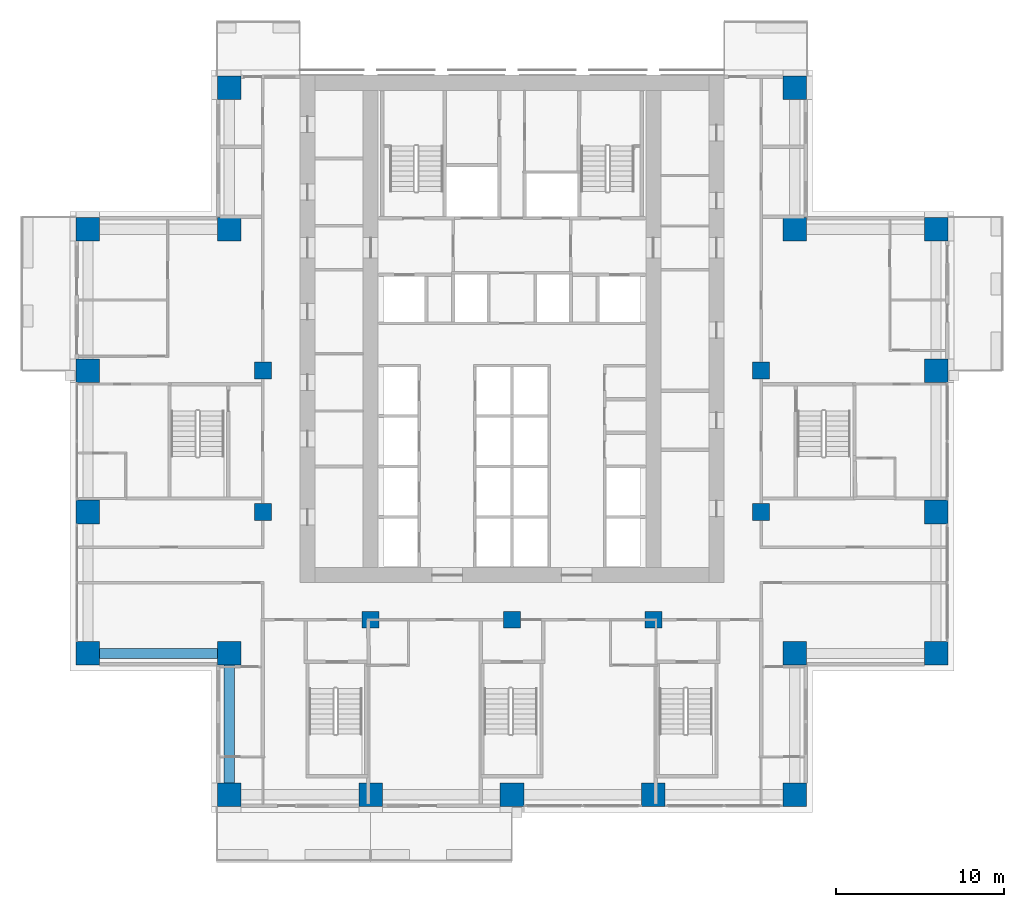
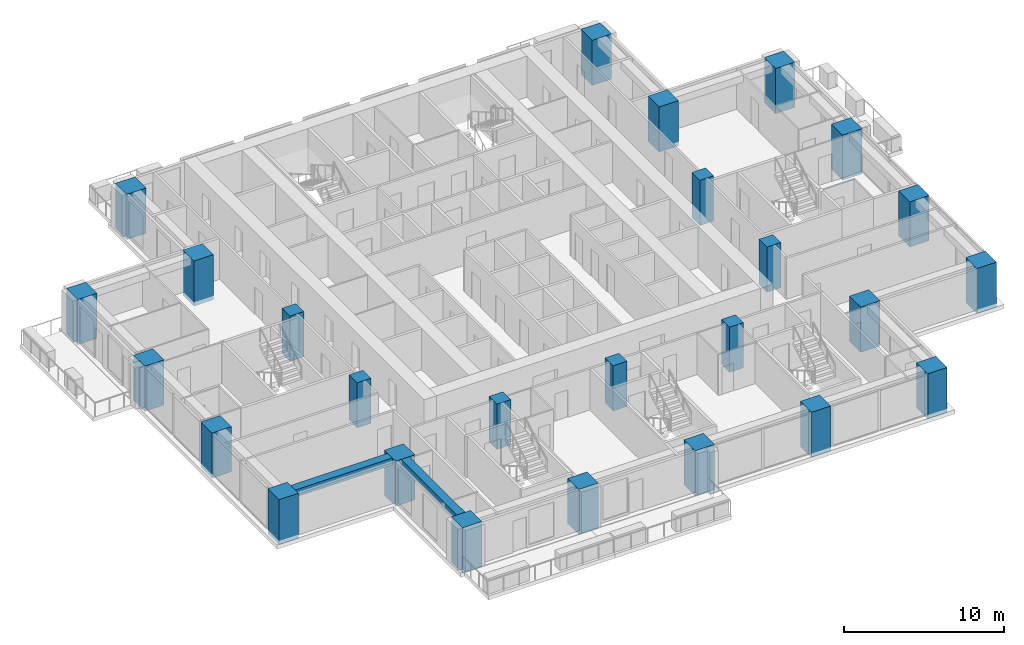
# One storey, part 1 of 16: 26 columns, 2 beams.
"""IFC4 building model written with IfcOpenShell, lengths in metres."""

from ifc_helpers import new_model, si_unit, direction, frame, origin, origin_2d, place, context, subcontext, project, spatial, rectangle, extrude, material, material_profile, profile_set, type_object, element, save


model = new_model("IFC4")

# Units and contexts
model_context = context("Model", 3, precision=1e-05, world=origin(), true_north=direction((0.0, 1.0)))
body_context = subcontext(model_context, "Body", "Model", "MODEL_VIEW")
ifc_project = project(units=[si_unit("LENGTHUNIT", "METRE"), si_unit("AREAUNIT", "SQUARE_METRE"), si_unit("VOLUMEUNIT", "CUBIC_METRE"), si_unit("PLANEANGLEUNIT", "RADIAN"), si_unit("MASSUNIT", "GRAM", prefix="KILO")], contexts=[model_context])

# Site, building, storey
site_placement = place(None, origin())
site = spatial("IfcSite", under=ifc_project, at=site_placement, CompositionType="ELEMENT")
building_placement = place(site_placement, origin())
building = spatial("IfcBuilding", under=site, at=building_placement, Name="Vermilion Ogive Tower", CompositionType="ELEMENT")
storey_placement = place(building_placement, frame((0.0, 0.0, 41.39990234375)))
storey = spatial("IfcBuildingStorey", under=building, at=storey_placement, Name="L08", CompositionType="ELEMENT", Elevation=41.39990234375)

# Columns
ifc_material_1 = material(Name="Concrete B80", Category="concrete")
ifc_material_profile_1 = material_profile(ifc_material_1, rectangle(XDim=1.39990234375, YDim=1.39990234375, at=origin_2d()), Name="1400 x 1400")
ifc_profile_set_1 = profile_set([ifc_material_profile_1], Name="Concrete B80")
column_type_1 = type_object("IfcColumnType", Name="Perimeter column 1400 x 1400 B80", PredefinedType="COLUMN", material=ifc_profile_set_1)
for number, where, z_axis, x_axis, name in (
    (1, (-16.800048828125, -21.0, -0.31982421875), (0.0, 0.0, 1.0), (1.0, 0.0, 0.0), "COL-L08-P-0168-210"),
    (2, (-8.39990234375, -21.0, -0.31982421875), (0.0, 0.0, 1.0), (1.0, 0.0, 0.0), "COL-L08-P-0084-210"),
    (3, (0.0, -21.0, -0.31982421875), (0.0, 0.0, 1.0), (1.0, 0.0, 0.0), "COL-L08-P+0000-210"),
    (4, (8.39990234375, -21.0, -0.31982421875), (0.0, 0.0, 1.0), (1.0, 0.0, 0.0), "COL-L08-P+0084-210"),
    (5, (16.800048828125, -21.0, -0.31982421875), (0.0, 0.0, 1.0), (1.0, 0.0, 0.0), "COL-L08-P+0168-210"),
    (6, (-25.199951171875, -12.60009765625, -0.31982421875), (0.0, 0.0, 1.0), (1.0, 0.0, 0.0), "COL-L08-P-0252-126"),
    (7, (-16.800048828125, -12.60009765625, -0.31982421875), (0.0, 0.0, 1.0), (1.0, 0.0, 0.0), "COL-L08-P-0168-126"),
    (8, (16.800048828125, -12.60009765625, -0.31982421875), (0.0, 0.0, 1.0), (1.0, 0.0, 0.0), "COL-L08-P+0168-126"),
    (9, (25.199951171875, -12.60009765625, -0.31982421875), (0.0, 0.0, 1.0), (1.0, 0.0, 0.0), "COL-L08-P+0252-126"),
    (10, (-25.199951171875, -4.199951171875, -0.31982421875), (0.0, 0.0, 1.0), (1.0, 0.0, 0.0), "COL-L08-P-0252-042"),
    (11, (25.199951171875, -4.199951171875, -0.31982421875), (0.0, 0.0, 1.0), (1.0, 0.0, 0.0), "COL-L08-P+0252-042"),
    (12, (-25.199951171875, 4.199951171875, -0.31982421875), (0.0, 0.0, 1.0), (1.0, 0.0, 0.0), "COL-L08-P-0252+042"),
    (13, (25.199951171875, 4.199951171875, -0.31982421875), (0.0, 0.0, 1.0), (1.0, 0.0, 0.0), "COL-L08-P+0252+042"),
    (14, (-25.199951171875, 12.60009765625, -0.31982421875), (0.0, 0.0, 1.0), (1.0, 0.0, 0.0), "COL-L08-P-0252+126"),
    (15, (-16.800048828125, 12.60009765625, -0.31982421875), (0.0, 0.0, 1.0), (1.0, 0.0, 0.0), "COL-L08-P-0168+126"),
    (16, (16.800048828125, 12.60009765625, -0.31982421875), (0.0, 0.0, 1.0), (1.0, 0.0, 0.0), "COL-L08-P+0168+126"),
    (17, (25.199951171875, 12.60009765625, -0.31982421875), (0.0, 0.0, 1.0), (1.0, 0.0, 0.0), "COL-L08-P+0252+126"),
    (18, (-16.800048828125, 21.0, -0.31982421875), (0.0, 0.0, 1.0), (1.0, 0.0, 0.0), "COL-L08-P-0168+210"),
    (19, (16.800048828125, 21.0, -0.31982421875), (0.0, 0.0, 1.0), (1.0, 0.0, 0.0), "COL-L08-P+0168+210"),
):
    element("IfcColumn", number, at=place(storey_placement, frame(where, z_axis=z_axis, x_axis=x_axis)), inside=storey, type_object=column_type_1, Name=name, PredefinedType="COLUMN", context=body_context, shape_type="SweptSolid", body=[
        extrude(rectangle(XDim=1.39990234375, YDim=1.39990234375, at=origin_2d()), origin(), (0.0, 0.0, 1.0), 3.449951171875),
    ])
ifc_material_2 = material(Name="Concrete B80", Category="concrete")
ifc_material_profile_2 = material_profile(ifc_material_2, rectangle(XDim=1.0, YDim=1.0, at=origin_2d()), Name="1000 x 1000")
ifc_profile_set_2 = profile_set([ifc_material_profile_2], Name="Concrete B80")
column_type_2 = type_object("IfcColumnType", Name="Ring column 1000 x 1000 B80", PredefinedType="COLUMN", material=ifc_profile_set_2)
for number, where, z_axis, x_axis, name in (
    (20, (-8.39990234375, -10.60009765625, -0.31982421875), (0.0, 0.0, 1.0), (1.0, 0.0, 0.0), "COL-L08-R-0084-106"),
    (21, (0.0, -10.60009765625, -0.31982421875), (0.0, 0.0, 1.0), (1.0, 0.0, 0.0), "COL-L08-R+0000-106"),
    (22, (8.39990234375, -10.60009765625, -0.31982421875), (0.0, 0.0, 1.0), (1.0, 0.0, 0.0), "COL-L08-R+0084-106"),
    (23, (-14.800048828125, -4.199951171875, -0.31982421875), (0.0, 0.0, 1.0), (1.0, 0.0, 0.0), "COL-L08-R-0148-042"),
    (24, (14.800048828125, -4.199951171875, -0.31982421875), (0.0, 0.0, 1.0), (1.0, 0.0, 0.0), "COL-L08-R+0148-042"),
    (25, (-14.800048828125, 4.199951171875, -0.31982421875), (0.0, 0.0, 1.0), (1.0, 0.0, 0.0), "COL-L08-R-0148+042"),
    (26, (14.800048828125, 4.199951171875, -0.31982421875), (0.0, 0.0, 1.0), (1.0, 0.0, 0.0), "COL-L08-R+0148+042"),
):
    element("IfcColumn", number, at=place(storey_placement, frame(where, z_axis=z_axis, x_axis=x_axis)), inside=storey, type_object=column_type_2, Name=name, PredefinedType="COLUMN", context=body_context, shape_type="SweptSolid", body=[
        extrude(rectangle(XDim=1.0, YDim=1.0, at=origin_2d()), origin(), (0.0, 0.0, 1.0), 3.449951171875),
    ])

# Beams
ifc_material_3 = material(Name="Concrete B45", Category="concrete")
ifc_material_profile_3 = material_profile(ifc_material_3, rectangle(XDim=0.60009765625, YDim=0.550048828125, at=origin_2d()), Name="600 x 550")
ifc_profile_set_3 = profile_set([ifc_material_profile_3], Name="Concrete B45")
beam_type = type_object("IfcBeamType", Name="Edge beam 600 x 550 B45", PredefinedType="BEAM", material=ifc_profile_set_3)
for number, where, z_axis, x_axis, name in (
    (27, (-24.5, -12.60009765625, 2.85498046875), (1.0, 0.0, 0.0), (0.0, 1.0, 0.0), "L08-EB-17"),
    (28, (-16.800048828125, -13.300048828125, 2.85498046875), (0.0, -1.0, 0.0), (1.0, 0.0, 0.0), "L08-EB-18"),
):
    element("IfcBeam", number, at=place(storey_placement, frame(where, z_axis=z_axis, x_axis=x_axis)), inside=storey, type_object=beam_type, Name=name, PredefinedType="BEAM", context=body_context, shape_type="SweptSolid", body=[
        extrude(rectangle(XDim=0.60009765625, YDim=0.550048828125, at=origin_2d()), origin(), (0.0, 0.0, 1.0), 7.0),
    ])

save(model, "model.ifc")
